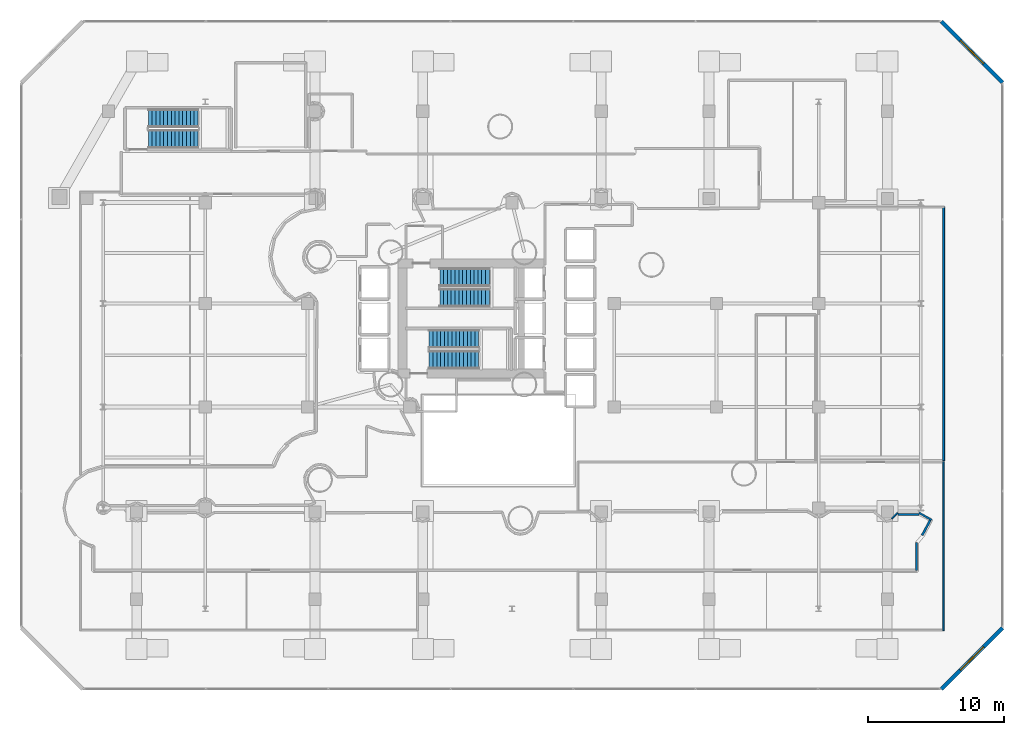
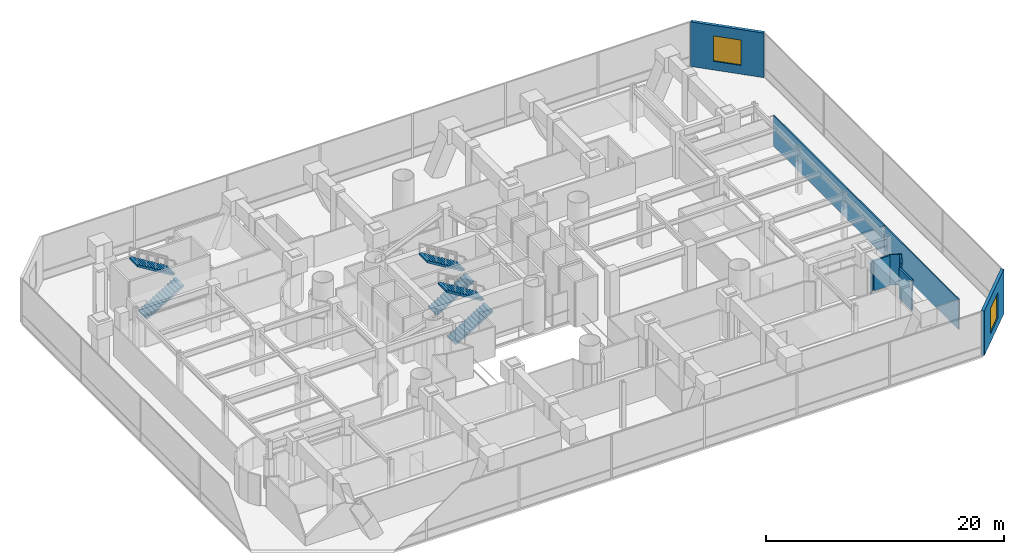
# One storey, part 35 of 45: 9 walls, 6 stair flights, 2 windows, 2 openings, 3 elements without a shape of their own.
"""IFC4 building model written with IfcOpenShell, lengths in metres."""

from ifc_helpers import new_model, si_unit, direction, frame, frame_2d, origin, place, context, subcontext, project, spatial, polyline, rectangle, outline, extrude, material, layer, layer_set, type_object, element, fill, aggregate, save


model = new_model("IFC4")

# Units and contexts
model_context = context("Model", 3, precision=1e-05, world=origin(), true_north=direction((0.0, 1.0)))
body_context = subcontext(model_context, "Body", "Model", "MODEL_VIEW")
ifc_project = project(units=[si_unit("LENGTHUNIT", "METRE"), si_unit("AREAUNIT", "SQUARE_METRE"), si_unit("VOLUMEUNIT", "CUBIC_METRE"), si_unit("PLANEANGLEUNIT", "RADIAN"), si_unit("MASSUNIT", "GRAM", prefix="KILO")], contexts=[model_context])

# Site, building, storey
site_placement = place(None, origin())
site = spatial("IfcSite", under=ifc_project, at=site_placement, CompositionType="ELEMENT")
building_placement = place(site_placement, origin())
building = spatial("IfcBuilding", under=site, at=building_placement, Name="Qianvela Tower", CompositionType="ELEMENT")
storey_placement = place(building_placement, frame((0.0, 0.0, 11.0)))
storey = spatial("IfcBuildingStorey", under=building, at=storey_placement, Name="L02", CompositionType="ELEMENT", Elevation=11.0)

# Wall, opening, window
ifc_material_1 = material(Name="Terracotta Cladding on Concrete C40", Category="masonry")
ifc_layer_1 = layer(ifc_material_1, 0.280029296875)
ifc_layer_set_1 = layer_set([ifc_layer_1], Name="Terracotta Cladding on Concrete C40")
wall_type_1 = type_object("IfcWallType", Name="TERRACOTTA-WALL-280", PredefinedType="SOLIDWALL", material=ifc_layer_set_1)
wall_1_placement = place(storey_placement, frame((69.0, 1.5, 0.0), z_axis=(0.0, 0.0, 1.0), x_axis=(0.707106781187, 0.707106781187, 0.0)))
wall_1 = element("IfcWall", 1, at=wall_1_placement, inside=storey, type_object=wall_type_1, Name="L02 Terracotta Corner Wall 2", PredefinedType="SOLIDWALL", context=body_context, shape_type="SweptSolid", body=[
    extrude(rectangle(XDim=6.364013671875, YDim=0.280029296875, at=frame_2d((3.18212890625, 0.0))), origin(), (0.0, 0.0, 1.0), 4.580078125),
])
opening_1_placement = place(wall_1_placement, frame((1.98193359375, 0.0, 0.89990234375)))
opening_1 = element("IfcOpeningElement", 2, at=opening_1_placement, cuts=wall_1, Name="Opening W-05", PredefinedType="OPENING", context=body_context, shape_type="SweptSolid", body=[
    extrude(rectangle(XDim=2.39990234375, YDim=2.60009765625, at=frame_2d((1.199951171875, 1.300048828125))), frame((0.0, 0.14990234375, 0.0), z_axis=(0.0, -1.0, 0.0), x_axis=(1.0, 0.0, 0.0)), (0.0, 0.0, 1.0), 0.300048828125),
])
ifc_material_2 = material(Name="Thermally Broken Aluminium and Low-E Glass", Category="aluminium")
window_type = type_object("IfcWindowType", Name="WIN-POD-2400x2600", PartitioningType="TRIPLE_PANEL_VERTICAL", PredefinedType="WINDOW", material=ifc_material_2)
window_1_placement = place(opening_1_placement, origin())
window_1 = element("IfcWindow", 3, at=window_1_placement, inside=storey, type_object=window_type, Name="L02 Chamfer Facet Window 2.1", OverallHeight=2.60009765625, OverallWidth=2.39990234375, PartitioningType="SINGLE_PANEL", PredefinedType="WINDOW", context=body_context, shape_type="SweptSolid", body=[
    extrude(rectangle(XDim=2.39990234375, YDim=2.60009765625, at=frame_2d((1.199951171875, 1.300048828125))), frame((0.0, 0.030029296875, 0.0), z_axis=(0.0, -1.0, 0.0), x_axis=(1.0, 0.0, 0.0)), (0.0, 0.0, 1.0), 0.06005859375),
])
fill(opening_1, window_1)

wall_2_placement = place(storey_placement, frame((73.5, 46.0, 0.0), z_axis=(0.0, 0.0, 1.0), x_axis=(-0.707106781187, 0.707106781187, 0.0)))
wall_2 = element("IfcWall", 4, at=wall_2_placement, inside=storey, type_object=wall_type_1, Name="L02 Terracotta Corner Wall 4", PredefinedType="SOLIDWALL", context=body_context, shape_type="SweptSolid", body=[
    extrude(rectangle(XDim=6.364013671875, YDim=0.280029296875, at=frame_2d((3.18212890625, 0.0))), origin(), (0.0, 0.0, 1.0), 4.580078125),
])
opening_2_placement = place(wall_2_placement, frame((1.98193359375, 0.0, 0.89990234375)))
opening_2 = element("IfcOpeningElement", 5, at=opening_2_placement, cuts=wall_2, Name="Opening W-05", PredefinedType="OPENING", context=body_context, shape_type="SweptSolid", body=[
    extrude(rectangle(XDim=2.39990234375, YDim=2.60009765625, at=frame_2d((1.199951171875, 1.300048828125))), frame((0.0, 0.14990234375, 0.0), z_axis=(0.0, -1.0, 0.0), x_axis=(1.0, 0.0, 0.0)), (0.0, 0.0, 1.0), 0.300048828125),
])
window_2_placement = place(opening_2_placement, origin())
window_2 = element("IfcWindow", 6, at=window_2_placement, inside=storey, type_object=window_type, Name="L02 Chamfer Facet Window 4.1", OverallHeight=2.60009765625, OverallWidth=2.39990234375, PartitioningType="SINGLE_PANEL", PredefinedType="WINDOW", context=body_context, shape_type="SweptSolid", body=[
    extrude(rectangle(XDim=2.39990234375, YDim=2.60009765625, at=frame_2d((1.199951171875, 1.300048828125))), frame((0.0, 0.030029296875, 0.0), z_axis=(0.0, -1.0, 0.0), x_axis=(1.0, 0.0, 0.0)), (0.0, 0.0, 1.0), 0.06005859375),
])
fill(opening_2, window_2)

# Walls
ifc_material_3 = material(Name="Fire-Rated Gypsum and Concrete Block", Category="concrete")
ifc_layer_2 = layer(ifc_material_3, 0.159912109375)
ifc_layer_set_2 = layer_set([ifc_layer_2], Name="Fire-Rated Gypsum and Concrete Block")
wall_type_2 = type_object("IfcWallType", Name="WT-CORR-160", PredefinedType="PARTITIONING", material=ifc_layer_set_2)
wall_3_placement = place(storey_placement, frame((65.820556640625, 14.3154296875, 0.0), z_axis=(0.0, 0.0, 1.0), x_axis=(0.99999673472, 0.002555493971, 0.0)))
element("IfcWall", 7, at=wall_3_placement, inside=storey, type_object=wall_type_2, Name="L02 Partition 81", PredefinedType="PARTITIONING", context=body_context, shape_type="SweptSolid", body=[
    extrude(rectangle(XDim=1.528564453125, YDim=0.159912109375, at=frame_2d((0.76416015625, 0.0))), origin(), (0.0, 0.0, 1.0), 3.10009765625),
])
wall_4_placement = place(storey_placement, frame((68.18798828125, 13.90185546875, 0.0), z_axis=(0.0, 0.0, 1.0), x_axis=(-0.471494358331, -0.88186907762, 0.0)))
element("IfcWall", 8, at=wall_4_placement, inside=storey, type_object=wall_type_2, Name="L02 Partition 83", PredefinedType="PARTITIONING", context=body_context, shape_type="SweptSolid", body=[
    extrude(rectangle(XDim=1.25830078125, YDim=0.159912109375, at=frame_2d((0.629150390625, 0.0))), origin(), (0.0, 0.0, 1.0), 3.10009765625),
])
wall_5_placement = place(storey_placement, frame((67.1689453125, 12.27783203125, 0.0), z_axis=(0.0, 0.0, 1.0), x_axis=(0.0, -1.0, 0.0)))
element("IfcWall", 9, at=wall_5_placement, inside=storey, type_object=wall_type_2, Name="L02 Partition 84", PredefinedType="PARTITIONING", context=body_context, shape_type="SweptSolid", body=[
    extrude(rectangle(XDim=2.077880859375, YDim=0.159912109375, at=frame_2d((1.0390625, 0.0))), origin(), (0.0, 0.0, 1.0), 3.10009765625),
])
ifc_material_4 = material(Name="Lightweight Gypsum Room Partition")
ifc_layer_3 = layer(ifc_material_4, 0.10498046875)
ifc_layer_set_3 = layer_set([ifc_layer_3], Name="Lightweight Gypsum Room Partition")
wall_type_3 = type_object("IfcWallType", Name="WT-PART-105", PredefinedType="PARTITIONING", material=ifc_layer_set_3)
wall_6_placement = place(storey_placement, frame((65.78662109375, 14.4296875, 0.0), z_axis=(0.0, 0.0, 1.0), x_axis=(-0.719351793699, -0.694645950756, 0.0)))
element("IfcWall", 10, at=wall_6_placement, inside=storey, type_object=wall_type_3, Name="L02 Partition 209", PredefinedType="PARTITIONING", context=body_context, shape_type="SweptSolid", body=[
    extrude(rectangle(XDim=0.593017578125, YDim=0.10498046875, at=frame_2d((0.29638671875, 0.0))), origin(), (0.0, 0.0, 1.0), 3.10009765625),
])
ifc_material_5 = material(Name="Insulated Gypsum Stud Partition")
ifc_layer_4 = layer(ifc_material_5, 0.1201171875)
ifc_layer_set_4 = layer_set([ifc_layer_4], Name="Insulated Gypsum Stud Partition")
wall_type_4 = type_object("IfcWallType", Name="WT-PART-120", PredefinedType="PARTITIONING", material=ifc_layer_set_4)
wall_7_placement = place(storey_placement, frame((69.1689453125, 18.199951171875, 0.0), z_axis=(0.0, 0.0, 1.0), x_axis=(0.0, -1.0, 0.0)))
element("IfcWall", 11, at=wall_7_placement, inside=storey, type_object=wall_type_4, Name="L02 Partition 223", PredefinedType="PARTITIONING", context=body_context, shape_type="SweptSolid", body=[
    extrude(rectangle(XDim=12.39990234375, YDim=0.1201171875, at=frame_2d((6.199951171875, 0.0))), origin(), (0.0, 0.0, 1.0), 3.10009765625),
])
ifc_material_6 = material(Name="Acoustic Double Gypsum Stud Partition")
ifc_layer_5 = layer(ifc_material_6, 0.139892578125)
ifc_layer_set_5 = layer_set([ifc_layer_5], Name="Acoustic Double Gypsum Stud Partition")
wall_type_5 = type_object("IfcWallType", Name="WT-ROOM-140", PredefinedType="PARTITIONING", material=ifc_layer_set_5)
wall_8_placement = place(storey_placement, frame((68.29248046875, 13.914306640625, 0.0), z_axis=(0.0, 0.0, 1.0), x_axis=(-0.870515939283, 0.492140223365, 0.0)))
element("IfcWall", 12, at=wall_8_placement, inside=storey, type_object=wall_type_5, Name="L02 Partition 207", PredefinedType="PARTITIONING", context=body_context, shape_type="SweptSolid", body=[
    extrude(rectangle(XDim=1.066650390625, YDim=0.139892578125, at=frame_2d((0.533203125, 0.0))), origin(), (0.0, 0.0, 1.0), 3.10009765625),
])
wall_9_placement = place(storey_placement, frame((69.1689453125, 36.89990234375, 0.0), z_axis=(0.0, 0.0, 1.0), x_axis=(0.0, -1.0, 0.0)))
element("IfcWall", 13, at=wall_9_placement, inside=storey, type_object=wall_type_5, Name="L02 Partition 231 seg 1", PredefinedType="PARTITIONING", context=body_context, shape_type="SweptSolid", body=[
    extrude(rectangle(XDim=18.637939453125, YDim=0.139892578125, at=frame_2d((9.31884765625, 0.0))), origin(), (0.0, 0.0, 1.0), 3.10009765625),
])

# Stair, stair flights
ifc_material_7 = material(Name="Concrete C40", Category="concrete")
stair_type = type_object("IfcStairType", Name="ST-DOGLEG-1350-R171-N28", PredefinedType="HALF_TURN_STAIR", material=ifc_material_7)
stair_1_placement = place(storey_placement, origin())
stair_1 = element("IfcStair", 14, at=stair_1_placement, inside=storey, type_object=stair_type, Name="L02 Smoke-Proof Core Stair ST-1", PredefinedType="HALF_TURN_STAIR")
ifc_material_8 = material(Name="Concrete C40", Category="concrete")
stair_flight_type = type_object("IfcStairFlightType", Name="STF-STRAIGHT-R171-P14", PredefinedType="STRAIGHT", material=ifc_material_8)
stair_flight_1_placement = place(storey_placement, frame((32.199951171875, 30.215087890625, 0.0), z_axis=(0.0, 0.0, 1.0), x_axis=(1.0, 0.0, 0.0)))
stair_flight_1 = element("IfcStairFlight", 15, at=stair_flight_1_placement, type_object=stair_flight_type, Name="ST-1 flight 1", NumberOfRisers=14, NumberOfTreads=13, PredefinedType="STRAIGHT", RiserHeight=0.171428571, TreadLength=0.28, context=body_context, shape_type="SweptSolid", body=[
    extrude(outline(polyline([(0.0, 0.0), (0.0, 0.17138671875), (0.280029296875, 0.17138671875), (0.280029296875, 0.3427734375), (0.56005859375, 0.3427734375), (0.56005859375, 0.514404296875), (0.840087890625, 0.514404296875), (0.840087890625, 0.685791015625), (1.1201171875, 0.685791015625), (1.1201171875, 0.857177734375), (1.39990234375, 0.857177734375), (1.39990234375, 1.028564453125), (1.679931640625, 1.028564453125), (1.679931640625, 1.199951171875), (1.9599609375, 1.199951171875), (1.9599609375, 1.371337890625), (2.239990234375, 1.371337890625), (2.239990234375, 1.54296875), (2.52001953125, 1.54296875), (2.52001953125, 1.71435546875), (2.800048828125, 1.71435546875), (2.800048828125, 1.8857421875), (3.080078125, 1.8857421875), (3.080078125, 2.05712890625), (3.360107421875, 2.05712890625), (3.360107421875, 2.228515625), (3.639892578125, 2.228515625), (3.639892578125, 2.39990234375), (3.639892578125, 2.052734375), (0.287109375, 0.0), (0.0, 0.0)])), frame((0.0, 0.675048828125, 0.0), z_axis=(0.0, -1.0, 0.0), x_axis=(1.0, 0.0, 0.0)), (0.0, 0.0, 1.0), 1.35009765625),
])
stair_flight_2_placement = place(storey_placement, frame((35.840087890625, 31.72509765625, 2.39990234375), z_axis=(0.0, 0.0, 1.0), x_axis=(-1.0, 0.0, 0.0)))
stair_flight_2 = element("IfcStairFlight", 16, at=stair_flight_2_placement, type_object=stair_flight_type, Name="ST-1 flight 2", NumberOfRisers=14, NumberOfTreads=13, PredefinedType="STRAIGHT", RiserHeight=0.171428571, TreadLength=0.28, context=body_context, shape_type="SweptSolid", body=[
    extrude(outline(polyline([(0.0, 0.0), (0.0, 0.17138671875), (0.280029296875, 0.17138671875), (0.280029296875, 0.3427734375), (0.56005859375, 0.3427734375), (0.56005859375, 0.514404296875), (0.840087890625, 0.514404296875), (0.840087890625, 0.685791015625), (1.1201171875, 0.685791015625), (1.1201171875, 0.857177734375), (1.39990234375, 0.857177734375), (1.39990234375, 1.028564453125), (1.679931640625, 1.028564453125), (1.679931640625, 1.199951171875), (1.9599609375, 1.199951171875), (1.9599609375, 1.371337890625), (2.239990234375, 1.371337890625), (2.239990234375, 1.54296875), (2.52001953125, 1.54296875), (2.52001953125, 1.71435546875), (2.800048828125, 1.71435546875), (2.800048828125, 1.8857421875), (3.080078125, 1.8857421875), (3.080078125, 2.05712890625), (3.360107421875, 2.05712890625), (3.360107421875, 2.228515625), (3.639892578125, 2.228515625), (3.639892578125, 2.39990234375), (3.639892578125, 2.052734375), (0.287109375, 0.0), (0.0, 0.0)])), frame((0.0, 0.675048828125, 0.0), z_axis=(0.0, -1.0, 0.0), x_axis=(1.0, 0.0, 0.0)), (0.0, 0.0, 1.0), 1.35009765625),
])
aggregate(stair_1, [stair_flight_1, stair_flight_2])

stair_2_placement = place(storey_placement, origin())
stair_2 = element("IfcStair", 17, at=stair_2_placement, inside=storey, type_object=stair_type, Name="L02 Smoke-Proof Core Stair ST-2", PredefinedType="HALF_TURN_STAIR")
stair_flight_3_placement = place(storey_placement, frame((31.419921875, 25.675048828125, 0.0), z_axis=(0.0, 0.0, 1.0), x_axis=(1.0, 0.0, 0.0)))
stair_flight_3 = element("IfcStairFlight", 18, at=stair_flight_3_placement, type_object=stair_flight_type, Name="ST-2 flight 1", NumberOfRisers=14, NumberOfTreads=13, PredefinedType="STRAIGHT", RiserHeight=0.171428571, TreadLength=0.28, context=body_context, shape_type="SweptSolid", body=[
    extrude(outline(polyline([(0.0, 0.0), (0.0, 0.17138671875), (0.280029296875, 0.17138671875), (0.280029296875, 0.3427734375), (0.56005859375, 0.3427734375), (0.56005859375, 0.514404296875), (0.840087890625, 0.514404296875), (0.840087890625, 0.685791015625), (1.1201171875, 0.685791015625), (1.1201171875, 0.857177734375), (1.39990234375, 0.857177734375), (1.39990234375, 1.028564453125), (1.679931640625, 1.028564453125), (1.679931640625, 1.199951171875), (1.9599609375, 1.199951171875), (1.9599609375, 1.371337890625), (2.239990234375, 1.371337890625), (2.239990234375, 1.54296875), (2.52001953125, 1.54296875), (2.52001953125, 1.71435546875), (2.800048828125, 1.71435546875), (2.800048828125, 1.8857421875), (3.080078125, 1.8857421875), (3.080078125, 2.05712890625), (3.360107421875, 2.05712890625), (3.360107421875, 2.228515625), (3.639892578125, 2.228515625), (3.639892578125, 2.39990234375), (3.639892578125, 2.052734375), (0.287109375, 0.0), (0.0, 0.0)])), frame((0.0, 0.675048828125, 0.0), z_axis=(0.0, -1.0, 0.0), x_axis=(1.0, 0.0, 0.0)), (0.0, 0.0, 1.0), 1.35009765625),
])
stair_flight_4_placement = place(storey_placement, frame((35.06005859375, 27.18505859375, 2.39990234375), z_axis=(0.0, 0.0, 1.0), x_axis=(-1.0, 0.0, 0.0)))
stair_flight_4 = element("IfcStairFlight", 19, at=stair_flight_4_placement, type_object=stair_flight_type, Name="ST-2 flight 2", NumberOfRisers=14, NumberOfTreads=13, PredefinedType="STRAIGHT", RiserHeight=0.171428571, TreadLength=0.28, context=body_context, shape_type="SweptSolid", body=[
    extrude(outline(polyline([(0.0, 0.0), (0.0, 0.17138671875), (0.280029296875, 0.17138671875), (0.280029296875, 0.3427734375), (0.56005859375, 0.3427734375), (0.56005859375, 0.514404296875), (0.840087890625, 0.514404296875), (0.840087890625, 0.685791015625), (1.1201171875, 0.685791015625), (1.1201171875, 0.857177734375), (1.39990234375, 0.857177734375), (1.39990234375, 1.028564453125), (1.679931640625, 1.028564453125), (1.679931640625, 1.199951171875), (1.9599609375, 1.199951171875), (1.9599609375, 1.371337890625), (2.239990234375, 1.371337890625), (2.239990234375, 1.54296875), (2.52001953125, 1.54296875), (2.52001953125, 1.71435546875), (2.800048828125, 1.71435546875), (2.800048828125, 1.8857421875), (3.080078125, 1.8857421875), (3.080078125, 2.05712890625), (3.360107421875, 2.05712890625), (3.360107421875, 2.228515625), (3.639892578125, 2.228515625), (3.639892578125, 2.39990234375), (3.639892578125, 2.052734375), (0.287109375, 0.0), (0.0, 0.0)])), frame((0.0, 0.675048828125, 0.0), z_axis=(0.0, -1.0, 0.0), x_axis=(1.0, 0.0, 0.0)), (0.0, 0.0, 1.0), 1.35009765625),
])
aggregate(stair_2, [stair_flight_3, stair_flight_4])

stair_3_placement = place(storey_placement, origin())
stair_3 = element("IfcStair", 20, at=stair_3_placement, inside=storey, type_object=stair_type, Name="L02 Smoke-Proof Core Stair ST-3", PredefinedType="HALF_TURN_STAIR")
stair_flight_5_placement = place(storey_placement, frame((10.820068359375, 41.875, 0.0), z_axis=(0.0, 0.0, 1.0), x_axis=(1.0, 0.0, 0.0)))
stair_flight_5 = element("IfcStairFlight", 21, at=stair_flight_5_placement, type_object=stair_flight_type, Name="ST-3 flight 1", NumberOfRisers=14, NumberOfTreads=13, PredefinedType="STRAIGHT", RiserHeight=0.171428571, TreadLength=0.28, context=body_context, shape_type="SweptSolid", body=[
    extrude(outline(polyline([(0.0, 0.0), (0.0, 0.17138671875), (0.280029296875, 0.17138671875), (0.280029296875, 0.3427734375), (0.56005859375, 0.3427734375), (0.56005859375, 0.514404296875), (0.840087890625, 0.514404296875), (0.840087890625, 0.685791015625), (1.1201171875, 0.685791015625), (1.1201171875, 0.857177734375), (1.39990234375, 0.857177734375), (1.39990234375, 1.028564453125), (1.679931640625, 1.028564453125), (1.679931640625, 1.199951171875), (1.9599609375, 1.199951171875), (1.9599609375, 1.371337890625), (2.239990234375, 1.371337890625), (2.239990234375, 1.54296875), (2.52001953125, 1.54296875), (2.52001953125, 1.71435546875), (2.800048828125, 1.71435546875), (2.800048828125, 1.8857421875), (3.080078125, 1.8857421875), (3.080078125, 2.05712890625), (3.360107421875, 2.05712890625), (3.360107421875, 2.228515625), (3.639892578125, 2.228515625), (3.639892578125, 2.39990234375), (3.639892578125, 2.052734375), (0.287109375, 0.0), (0.0, 0.0)])), frame((0.0, 0.675048828125, 0.0), z_axis=(0.0, -1.0, 0.0), x_axis=(1.0, 0.0, 0.0)), (0.0, 0.0, 1.0), 1.35009765625),
])
stair_flight_6_placement = place(storey_placement, frame((14.4599609375, 43.385009765625, 2.39990234375), z_axis=(0.0, 0.0, 1.0), x_axis=(-1.0, 0.0, 0.0)))
stair_flight_6 = element("IfcStairFlight", 22, at=stair_flight_6_placement, type_object=stair_flight_type, Name="ST-3 flight 2", NumberOfRisers=14, NumberOfTreads=13, PredefinedType="STRAIGHT", RiserHeight=0.171428571, TreadLength=0.28, context=body_context, shape_type="SweptSolid", body=[
    extrude(outline(polyline([(0.0, 0.0), (0.0, 0.17138671875), (0.280029296875, 0.17138671875), (0.280029296875, 0.3427734375), (0.56005859375, 0.3427734375), (0.56005859375, 0.514404296875), (0.840087890625, 0.514404296875), (0.840087890625, 0.685791015625), (1.1201171875, 0.685791015625), (1.1201171875, 0.857177734375), (1.39990234375, 0.857177734375), (1.39990234375, 1.028564453125), (1.679931640625, 1.028564453125), (1.679931640625, 1.199951171875), (1.9599609375, 1.199951171875), (1.9599609375, 1.371337890625), (2.239990234375, 1.371337890625), (2.239990234375, 1.54296875), (2.52001953125, 1.54296875), (2.52001953125, 1.71435546875), (2.800048828125, 1.71435546875), (2.800048828125, 1.8857421875), (3.080078125, 1.8857421875), (3.080078125, 2.05712890625), (3.360107421875, 2.05712890625), (3.360107421875, 2.228515625), (3.639892578125, 2.228515625), (3.639892578125, 2.39990234375), (3.639892578125, 2.052734375), (0.287109375, 0.0), (0.0, 0.0)])), frame((0.0, 0.675048828125, 0.0), z_axis=(0.0, -1.0, 0.0), x_axis=(1.0, 0.0, 0.0)), (0.0, 0.0, 1.0), 1.35009765625),
])
aggregate(stair_3, [stair_flight_5, stair_flight_6])

save(model, "model.ifc")
